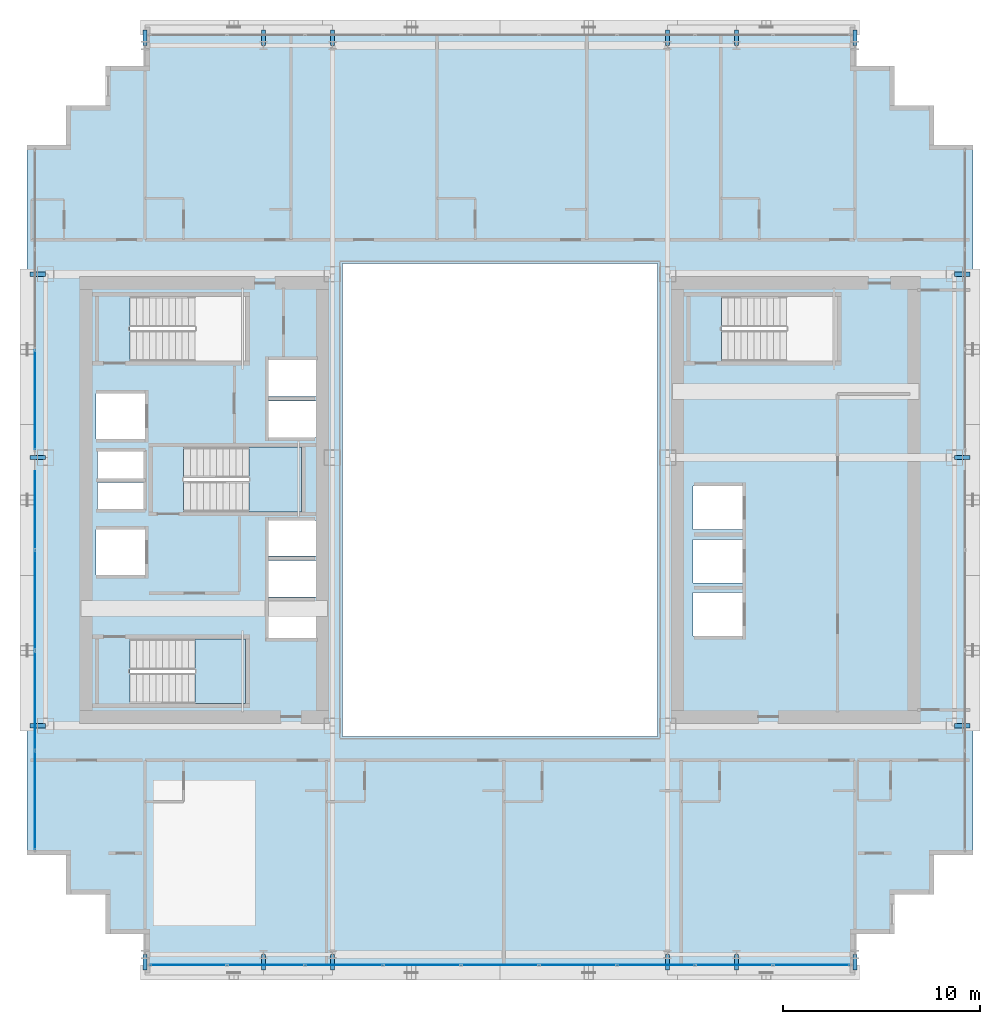
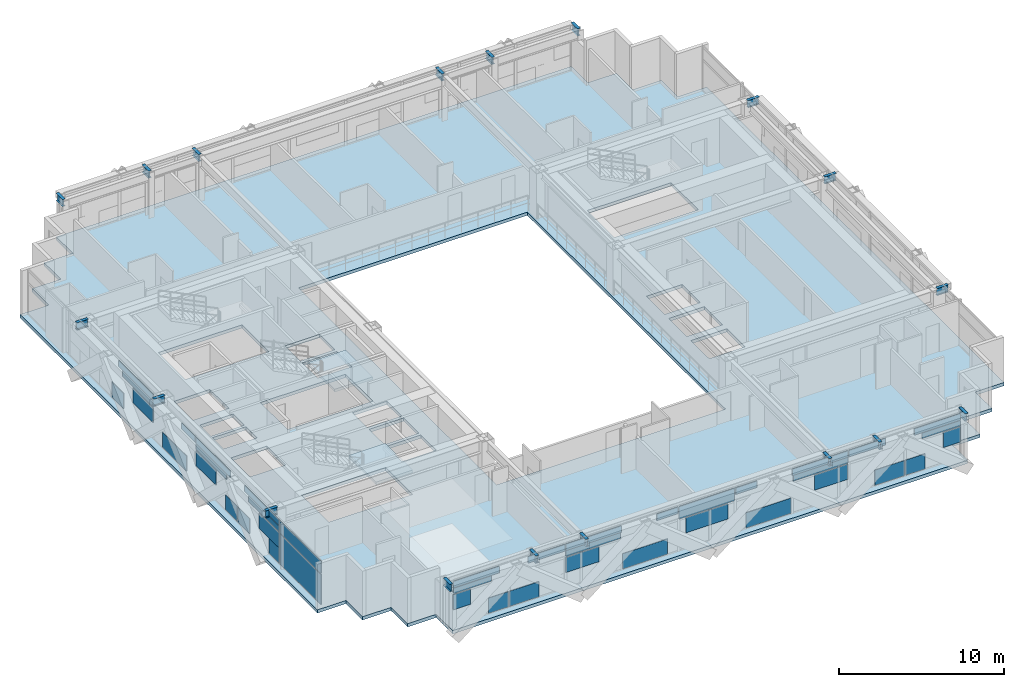
# One storey, part 23 of 34: 41 plates, 18 beams, 3 slabs, 4 elements without a shape of their own.
"""IFC4 building model written with IfcOpenShell, lengths in metres."""

from ifc_helpers import new_model, si_unit, direction, frame, origin, origin_2d, place, context, subcontext, project, spatial, polyline, rectangle, i_section, outline, extrude, source, transform, mapped, material, layer, layer_set, material_profile, profile_set, type_object, element, aggregate, save


model = new_model("IFC4")

# Units and contexts
model_context = context("Model", 3, precision=1e-05, world=origin(), true_north=direction((0.0, 1.0)))
body_context = subcontext(model_context, "Body", "Model", "MODEL_VIEW")
ifc_project = project(units=[si_unit("LENGTHUNIT", "METRE"), si_unit("AREAUNIT", "SQUARE_METRE"), si_unit("VOLUMEUNIT", "CUBIC_METRE"), si_unit("PLANEANGLEUNIT", "RADIAN"), si_unit("MASSUNIT", "GRAM", prefix="KILO")], contexts=[model_context])

# Site, building, storey
site_placement = place(None, origin())
site = spatial("IfcSite", under=ifc_project, at=site_placement, CompositionType="ELEMENT")
building_placement = place(site_placement, origin())
building = spatial("IfcBuilding", under=site, at=building_placement, Name="Ocotamira Hotel", CompositionType="ELEMENT")
storey_placement = place(building_placement, frame((0.0, 0.0, 111.60009765625)))
storey = spatial("IfcBuildingStorey", under=building, at=storey_placement, Name="L27", CompositionType="ELEMENT", Elevation=111.60009765625)

# Beams
ifc_material_1 = material(Name="Steel ASTM A992 Grade 50", Category="steel")
ifc_material_profile = material_profile(ifc_material_1, i_section(OverallWidth=0.2099609375, OverallDepth=0.537109375, WebThickness=0.010986328125, FlangeThickness=0.017333984375, FilletRadius=0.012939453125, at=origin_2d()), Name="W21X68")
ifc_profile_set = profile_set([ifc_material_profile], Name="Steel ASTM A992 Grade 50")
beam_type = type_object("IfcBeamType", Name="BM-SEC-W21X68", PredefinedType="JOIST", material=ifc_profile_set)
shared_shape_1 = source(origin(), body_context, "Body", "SweptSolid", [
    extrude(i_section(OverallWidth=0.2099609375, OverallDepth=0.537109375, WebThickness=0.010986328125, FlangeThickness=0.017333984375, FilletRadius=0.012939453125, at=origin_2d()), origin(), (0.0, 0.0, 1.0), 0.800048828125),
])
for number, where, z_axis, x_axis, name in (
    (1, (14.0, 2.949951171875, 3.09130859375), (0.0, -1.0, 0.0), (1.0, 0.0, 0.0), "L27 South Edge Header X14"),
    (2, (14.0, 49.050048828125, 3.09130859375), (0.0, 1.0, 0.0), (-1.0, 0.0, 0.0), "L27 North Edge Header X14"),
    (3, (20.0, 2.949951171875, 3.09130859375), (0.0, -1.0, 0.0), (1.0, 0.0, 0.0), "L27 South Edge Header X20"),
    (4, (20.0, 49.050048828125, 3.09130859375), (0.0, 1.0, 0.0), (-1.0, 0.0, 0.0), "L27 North Edge Header X20"),
    (5, (23.5, 2.949951171875, 3.09130859375), (0.0, -1.0, 0.0), (1.0, 0.0, 0.0), "L27 South Edge Header X23.5"),
    (6, (23.5, 49.050048828125, 3.09130859375), (0.0, 1.0, 0.0), (-1.0, 0.0, 0.0), "L27 North Edge Header X23.5"),
    (7, (40.5, 2.949951171875, 3.09130859375), (0.0, -1.0, 0.0), (1.0, 0.0, 0.0), "L27 South Edge Header X40.5"),
    (8, (40.5, 49.050048828125, 3.09130859375), (0.0, 1.0, 0.0), (-1.0, 0.0, 0.0), "L27 North Edge Header X40.5"),
    (9, (44.0, 2.949951171875, 3.09130859375), (0.0, -1.0, 0.0), (1.0, 0.0, 0.0), "L27 South Edge Header X44"),
    (10, (44.0, 49.050048828125, 3.09130859375), (0.0, 1.0, 0.0), (-1.0, 0.0, 0.0), "L27 North Edge Header X44"),
    (11, (50.0, 2.949951171875, 3.09130859375), (0.0, -1.0, 0.0), (1.0, 0.0, 0.0), "L27 South Edge Header X50"),
    (12, (50.0, 49.050048828125, 3.09130859375), (0.0, 1.0, 0.0), (-1.0, 0.0, 0.0), "L27 North Edge Header X50"),
    (13, (8.949951171875, 14.550048828125, 3.09130859375), (-1.0, 0.0, 0.0), (0.0, -1.0, 0.0), "L27 West Edge Header Y14.55"),
    (14, (55.050048828125, 14.550048828125, 3.09130859375), (1.0, 0.0, 0.0), (0.0, 1.0, 0.0), "L27 East Edge Header Y14.55"),
    (15, (8.949951171875, 28.14990234375, 3.09130859375), (-1.0, 0.0, 0.0), (0.0, -1.0, 0.0), "L27 West Edge Header Y28.15"),
    (16, (55.050048828125, 28.14990234375, 3.09130859375), (1.0, 0.0, 0.0), (0.0, 1.0, 0.0), "L27 East Edge Header Y28.15"),
    (17, (8.949951171875, 37.449951171875, 3.09130859375), (-1.0, 0.0, 0.0), (0.0, -1.0, 0.0), "L27 West Edge Header Y37.45"),
    (18, (55.050048828125, 37.449951171875, 3.09130859375), (1.0, 0.0, 0.0), (0.0, 1.0, 0.0), "L27 East Edge Header Y37.45"),
):
    element("IfcBeam", number, at=place(storey_placement, frame(where, z_axis=z_axis, x_axis=x_axis)), inside=storey, type_object=beam_type, Name=name, PredefinedType="JOIST", context=body_context, shape_type="MappedRepresentation", body=[
        mapped(shared_shape_1, transform((0.0, 0.0, 0.0), scale=1.0)),
    ])

# Stair, slab
ifc_material_2 = material(Name="Concrete C40/50", Category="concrete")
stair_type = type_object("IfcStairType", Name="ST-CORE-1560", PredefinedType="HALF_TURN_STAIR", material=ifc_material_2)
stair_1_placement = place(storey_placement, origin())
stair_1 = element("IfcStair", 19, at=stair_1_placement, inside=storey, type_object=stair_type, Name="L27 Exit Stair ST-1", PredefinedType="HALF_TURN_STAIR")
ifc_layer_1 = layer(ifc_material_2, 0.199951171875)
ifc_layer_set_1 = layer_set([ifc_layer_1], Name="Concrete C40/50")
slab_type_1 = type_object("IfcSlabType", Name="SLB-LAND-200", PredefinedType="LANDING", material=ifc_layer_set_1)
slab_1_placement = place(storey_placement, frame((0.0, 0.0, 1.599853515625)))
slab_1 = element("IfcSlab", 20, at=slab_1_placement, type_object=slab_type_1, Name="ST-1 landing 1", PredefinedType="LANDING", context=body_context, shape_type="SweptSolid", body=[
    extrude(outline(polyline([(16.530029296875, 15.669921875), (19.090087890625, 15.669921875), (19.090087890625, 18.949951171875), (16.530029296875, 18.949951171875), (16.530029296875, 15.669921875)])), origin(), (0.0, 0.0, 1.0), 0.199951171875),
])
aggregate(stair_1, [slab_1])

stair_2_placement = place(storey_placement, origin())
stair_2 = element("IfcStair", 21, at=stair_2_placement, inside=storey, type_object=stair_type, Name="L27 Exit Stair ST-3", PredefinedType="HALF_TURN_STAIR")
slab_2_placement = place(storey_placement, frame((0.0, 0.0, 1.599853515625)))
slab_2 = element("IfcSlab", 22, at=slab_2_placement, type_object=slab_type_1, Name="ST-3 landing 1", PredefinedType="LANDING", context=body_context, shape_type="SweptSolid", body=[
    extrude(outline(polyline([(19.260009765625, 25.39990234375), (21.919921875, 25.39990234375), (21.919921875, 28.679931640625), (19.260009765625, 28.679931640625), (19.260009765625, 25.39990234375)])), origin(), (0.0, 0.0, 1.0), 0.199951171875),
])
aggregate(stair_2, [slab_2])

# Slab
ifc_layer_2 = layer(ifc_material_2, 0.239990234375)
ifc_layer_set_2 = layer_set([ifc_layer_2], Name="Concrete C40/50")
slab_type_2 = type_object("IfcSlabType", Name="SLB-TYP-240", PredefinedType="FLOOR", material=ifc_layer_set_2)
slab_3_placement = place(storey_placement, frame((0.0, 0.0, -0.239990234375)))
element("IfcSlab", 23, at=slab_3_placement, inside=storey, type_object=slab_type_2, Name="L27 Structural Floor Slab", PredefinedType="FLOOR", context=body_context, shape_type="SweptSolid", body=[
    extrude(outline(polyline([(14.0, 2.0), (50.0, 2.0), (50.0, 4.0), (52.0, 4.0), (52.0, 6.0), (54.0, 6.0), (54.0, 8.0), (56.0, 8.0), (56.0, 44.0), (54.0, 44.0), (54.0, 46.0), (52.0, 46.0), (52.0, 48.0), (50.0, 48.0), (50.0, 50.0), (14.0, 50.0), (14.0, 48.0), (12.0, 48.0), (12.0, 46.0), (10.0, 46.0), (10.0, 44.0), (8.0, 44.0), (8.0, 8.0), (10.0, 8.0), (10.0, 6.0), (12.0, 6.0), (12.0, 4.0), (14.0, 4.0), (14.0, 2.0)]), holes=[polyline([(24.0, 14.0), (40.0, 14.0), (40.0, 38.0), (24.0, 38.0), (24.0, 14.0)]), polyline([(13.22998046875, 15.669921875), (19.090087890625, 15.669921875), (19.090087890625, 18.949951171875), (13.22998046875, 18.949951171875), (13.22998046875, 15.669921875)]), polyline([(13.22998046875, 33.050048828125), (19.090087890625, 33.050048828125), (19.090087890625, 36.330078125), (13.22998046875, 36.330078125), (13.22998046875, 33.050048828125)]), polyline([(15.9599609375, 25.39990234375), (21.919921875, 25.39990234375), (21.919921875, 28.679931640625), (15.9599609375, 28.679931640625), (15.9599609375, 25.39990234375)]), polyline([(43.22998046875, 33.050048828125), (49.090087890625, 33.050048828125), (49.090087890625, 36.330078125), (43.22998046875, 36.330078125), (43.22998046875, 33.050048828125)]), polyline([(41.800048828125, 19.10009765625), (44.300048828125, 19.10009765625), (44.300048828125, 21.300048828125), (41.800048828125, 21.300048828125), (41.800048828125, 19.10009765625)]), polyline([(41.800048828125, 21.800048828125), (44.300048828125, 21.800048828125), (44.300048828125, 24.0), (41.800048828125, 24.0), (41.800048828125, 21.800048828125)]), polyline([(41.800048828125, 24.5), (44.300048828125, 24.5), (44.300048828125, 26.699951171875), (41.800048828125, 26.699951171875), (41.800048828125, 24.5)]), polyline([(20.25, 19.0), (22.659912109375, 19.0), (22.659912109375, 20.85009765625), (20.25, 20.85009765625), (20.25, 19.0)]), polyline([(20.25, 21.080078125), (22.659912109375, 21.080078125), (22.659912109375, 22.929931640625), (20.25, 22.929931640625), (20.25, 21.080078125)]), polyline([(20.25, 23.159912109375), (22.659912109375, 23.159912109375), (22.659912109375, 24.9599609375), (20.25, 24.9599609375), (20.25, 23.159912109375)]), polyline([(20.25, 29.179931640625), (22.659912109375, 29.179931640625), (22.659912109375, 31.030029296875), (20.25, 31.030029296875), (20.25, 29.179931640625)]), polyline([(20.25, 31.260009765625), (22.659912109375, 31.260009765625), (22.659912109375, 33.110107421875), (20.25, 33.110107421875), (20.25, 31.260009765625)]), polyline([(11.5, 22.199951171875), (14.0, 22.199951171875), (14.0, 24.5), (11.5, 24.5), (11.5, 22.199951171875)]), polyline([(11.5, 29.10009765625), (14.0, 29.10009765625), (14.0, 31.39990234375), (11.5, 31.39990234375), (11.5, 29.10009765625)]), polyline([(11.580078125, 25.550048828125), (13.919921875, 25.550048828125), (13.919921875, 26.89990234375), (11.580078125, 26.89990234375), (11.580078125, 25.550048828125)]), polyline([(11.580078125, 27.10009765625), (13.919921875, 27.10009765625), (13.919921875, 28.449951171875), (11.580078125, 28.449951171875), (11.580078125, 27.10009765625)])]), origin(), (0.0, 0.0, 1.0), 0.239990234375),
])

# Curtain wall, plate
ifc_material_3 = material(Name="Anodised pale-metal aluminium and solar glass", Category="aluminium")
ifc_layer_3 = layer(ifc_material_3, 0.179931640625)
ifc_layer_set_3 = layer_set([ifc_layer_3], Name="Anodised pale-metal aluminium and solar glass")
curtain_wall_type = type_object("IfcCurtainWallType", Name="CW-SYS3-Z2", PredefinedType="NOTDEFINED", material=ifc_layer_set_3)
curtain_wall_1_placement = place(storey_placement, origin())
curtain_wall_1 = element("IfcCurtainWall", 24, at=curtain_wall_1_placement, inside=storey, type_object=curtain_wall_type, Name="L27 Curtain Wall CW-3 CW-L27-W", PredefinedType="NOTDEFINED")
ifc_material_4 = material(Name="Double-silver low-E insulated solar glass", Category="glass")
ifc_layer_4 = layer(ifc_material_4, 0.031982421875)
ifc_layer_set_4 = layer_set([ifc_layer_4], Name="Double-silver low-E insulated solar glass")
plate_type = type_object("IfcPlateType", Name="CWP-VISION-32", PredefinedType="CURTAIN_PANEL", material=ifc_layer_set_4)
shared_shape_2 = source(origin(), body_context, "Body", "SweptSolid", [
    extrude(rectangle(XDim=4.9658203125, YDim=0.031982421875, at=origin_2d()), origin(), (0.0, 0.0, 1.0), 2.237548828125),
])
plate_1_placement = place(storey_placement, frame((8.419921875, 10.762939453125, 0.07470703125), z_axis=(0.0, 0.0, 1.0), x_axis=(0.0, 1.0, 0.0)))
plate_1 = element("IfcPlate", 25, at=plate_1_placement, type_object=plate_type, Name="CW-3 panel 1.1", PredefinedType="CURTAIN_PANEL", context=body_context, shape_type="MappedRepresentation", body=[
    mapped(shared_shape_2, transform((0.0, 0.0, 0.0), scale=1.0)),
])

# Curtain wall, plates
curtain_wall_2_placement = place(storey_placement, origin())
curtain_wall_2 = element("IfcCurtainWall", 26, at=curtain_wall_2_placement, inside=storey, type_object=curtain_wall_type, Name="L27 Curtain Wall CW-3 CW-L27-S1", PredefinedType="NOTDEFINED")
shared_shape_3 = source(origin(), body_context, "Body", "SweptSolid", [
    extrude(rectangle(XDim=2.676513671875, YDim=0.031982421875, at=origin_2d()), origin(), (0.0, 0.0, 1.0), 0.39453125),
])
plate_2_placement = place(storey_placement, frame((15.618408203125, 2.419921875, 2.387451171875), z_axis=(0.0, 0.0, 1.0), x_axis=(1.0, 0.0, 0.0)))
plate_2 = element("IfcPlate", 27, at=plate_2_placement, type_object=plate_type, Name="CW-3 panel 1.2.1", PredefinedType="CURTAIN_PANEL", context=body_context, shape_type="MappedRepresentation", body=[
    mapped(shared_shape_3, transform((0.0, 0.0, 0.0), scale=1.0)),
])
plate_3_placement = place(storey_placement, frame((48.381591796875, 2.419921875, 2.387451171875), z_axis=(0.0, 0.0, 1.0), x_axis=(1.0, 0.0, 0.0)))
plate_3 = element("IfcPlate", 28, at=plate_3_placement, type_object=plate_type, Name="CW-3 panel 9.2.2", PredefinedType="CURTAIN_PANEL", context=body_context, shape_type="MappedRepresentation", body=[
    mapped(shared_shape_3, transform((0.0, 0.0, 0.0), scale=1.0)),
])
shared_shape_4 = source(origin(), body_context, "Body", "SweptSolid", [
    extrude(rectangle(XDim=3.208740234375, YDim=0.031982421875, at=origin_2d()), origin(), (0.0, 0.0, 1.0), 0.4716796875),
])
plate_4_placement = place(storey_placement, frame((15.884521484375, 2.419921875, 2.813232421875), z_axis=(0.0, 0.0, 1.0), x_axis=(1.0, 0.0, 0.0)))
plate_4 = element("IfcPlate", 29, at=plate_4_placement, type_object=plate_type, Name="CW-3 panel 1.2.2", PredefinedType="CURTAIN_PANEL", context=body_context, shape_type="MappedRepresentation", body=[
    mapped(shared_shape_4, transform((0.0, 0.0, 0.0), scale=1.0)),
])
plate_5_placement = place(storey_placement, frame((48.115478515625, 2.419921875, 2.813232421875), z_axis=(0.0, 0.0, 1.0), x_axis=(1.0, 0.0, 0.0)))
plate_5 = element("IfcPlate", 30, at=plate_5_placement, type_object=plate_type, Name="CW-3 panel 9.2.1", PredefinedType="CURTAIN_PANEL", context=body_context, shape_type="MappedRepresentation", body=[
    mapped(shared_shape_4, transform((0.0, 0.0, 0.0), scale=1.0)),
])
shared_shape_5 = source(origin(), body_context, "Body", "SweptSolid", [
    extrude(rectangle(XDim=2.559814453125, YDim=0.031982421875, at=origin_2d()), origin(), (0.0, 0.0, 1.0), 0.4716796875),
])
plate_6_placement = place(storey_placement, frame((20.791259765625, 2.419921875, 2.813232421875), z_axis=(0.0, 0.0, 1.0), x_axis=(1.0, 0.0, 0.0)))
plate_6 = element("IfcPlate", 31, at=plate_6_placement, type_object=plate_type, Name="CW-3 panel 2.2.1", PredefinedType="CURTAIN_PANEL", context=body_context, shape_type="MappedRepresentation", body=[
    mapped(shared_shape_5, transform((0.0, 0.0, 0.0), scale=1.0)),
])
plate_7_placement = place(storey_placement, frame((43.208740234375, 2.419921875, 2.813232421875), z_axis=(0.0, 0.0, 1.0), x_axis=(1.0, 0.0, 0.0)))
plate_7 = element("IfcPlate", 32, at=plate_7_placement, type_object=plate_type, Name="CW-3 panel 8.2.1", PredefinedType="CURTAIN_PANEL", context=body_context, shape_type="MappedRepresentation", body=[
    mapped(shared_shape_5, transform((0.0, 0.0, 0.0), scale=1.0)),
])
shared_shape_6 = source(origin(), body_context, "Body", "SweptSolid", [
    extrude(rectangle(XDim=3.805419921875, YDim=0.031982421875, at=origin_2d()), origin(), (0.0, 0.0, 1.0), 0.42578125),
])
plate_8_placement = place(storey_placement, frame((24.0537109375, 2.419921875, 2.387451171875), z_axis=(0.0, 0.0, 1.0), x_axis=(1.0, 0.0, 0.0)))
plate_8 = element("IfcPlate", 33, at=plate_8_placement, type_object=plate_type, Name="CW-3 panel 3.2.1", PredefinedType="CURTAIN_PANEL", context=body_context, shape_type="MappedRepresentation", body=[
    mapped(shared_shape_6, transform((0.0, 0.0, 0.0), scale=1.0)),
])
plate_9_placement = place(storey_placement, frame((39.9462890625, 2.419921875, 2.387451171875), z_axis=(0.0, 0.0, 1.0), x_axis=(1.0, 0.0, 0.0)))
plate_9 = element("IfcPlate", 34, at=plate_9_placement, type_object=plate_type, Name="CW-3 panel 7.2.2", PredefinedType="CURTAIN_PANEL", context=body_context, shape_type="MappedRepresentation", body=[
    mapped(shared_shape_6, transform((0.0, 0.0, 0.0), scale=1.0)),
])
shared_shape_7 = source(origin(), body_context, "Body", "SweptSolid", [
    extrude(rectangle(XDim=3.87548828125, YDim=0.031982421875, at=origin_2d()), origin(), (0.0, 0.0, 1.0), 0.4716796875),
])
plate_10_placement = place(storey_placement, frame((24.0888671875, 2.419921875, 2.813232421875), z_axis=(0.0, 0.0, 1.0), x_axis=(1.0, 0.0, 0.0)))
plate_10 = element("IfcPlate", 35, at=plate_10_placement, type_object=plate_type, Name="CW-3 panel 3.2.2", PredefinedType="CURTAIN_PANEL", context=body_context, shape_type="MappedRepresentation", body=[
    mapped(shared_shape_7, transform((0.0, 0.0, 0.0), scale=1.0)),
])
plate_11_placement = place(storey_placement, frame((39.9111328125, 2.419921875, 2.813232421875), z_axis=(0.0, 0.0, 1.0), x_axis=(1.0, 0.0, 0.0)))
plate_11 = element("IfcPlate", 36, at=plate_11_placement, type_object=plate_type, Name="CW-3 panel 7.2.1", PredefinedType="CURTAIN_PANEL", context=body_context, shape_type="MappedRepresentation", body=[
    mapped(shared_shape_7, transform((0.0, 0.0, 0.0), scale=1.0)),
])
shared_shape_8 = source(origin(), body_context, "Body", "SweptSolid", [
    extrude(rectangle(XDim=1.470947265625, YDim=0.031982421875, at=origin_2d()), origin(), (0.0, 0.0, 1.0), 0.4716796875),
])
plate_12_placement = place(storey_placement, frame((29.24658203125, 2.419921875, 2.813232421875), z_axis=(0.0, 0.0, 1.0), x_axis=(1.0, 0.0, 0.0)))
plate_12 = element("IfcPlate", 37, at=plate_12_placement, type_object=plate_type, Name="CW-3 panel 4.2.1", PredefinedType="CURTAIN_PANEL", context=body_context, shape_type="MappedRepresentation", body=[
    mapped(shared_shape_8, transform((0.0, 0.0, 0.0), scale=1.0)),
])
plate_13_placement = place(storey_placement, frame((34.75341796875, 2.419921875, 2.813232421875), z_axis=(0.0, 0.0, 1.0), x_axis=(1.0, 0.0, 0.0)))
plate_13 = element("IfcPlate", 38, at=plate_13_placement, type_object=plate_type, Name="CW-3 panel 6.2.1", PredefinedType="CURTAIN_PANEL", context=body_context, shape_type="MappedRepresentation", body=[
    mapped(shared_shape_8, transform((0.0, 0.0, 0.0), scale=1.0)),
])
shared_shape_9 = source(origin(), body_context, "Body", "SweptSolid", [
    extrude(rectangle(XDim=3.87548828125, YDim=0.031982421875, at=origin_2d()), origin(), (0.0, 0.0, 1.0), 0.8974609375),
])
plate_14_placement = place(storey_placement, frame((32.0, 2.419921875, 2.387451171875), z_axis=(0.0, 0.0, 1.0), x_axis=(1.0, 0.0, 0.0)))
plate_14 = element("IfcPlate", 39, at=plate_14_placement, type_object=plate_type, Name="CW-3 panel 5.2", PredefinedType="CURTAIN_PANEL", context=body_context, shape_type="MappedRepresentation", body=[
    mapped(shared_shape_9, transform((0.0, 0.0, 0.0), scale=1.0)),
])

# Plate
shared_shape_10 = source(origin(), body_context, "Body", "SweptSolid", [
    extrude(rectangle(XDim=4.9658203125, YDim=0.031982421875, at=origin_2d()), origin(), (0.0, 0.0, 1.0), 0.8974609375),
])
plate_15_placement = place(storey_placement, frame((8.419921875, 10.762939453125, 2.387451171875), z_axis=(0.0, 0.0, 1.0), x_axis=(0.0, 1.0, 0.0)))
plate_15 = element("IfcPlate", 40, at=plate_15_placement, type_object=plate_type, Name="CW-3 panel 1.2", PredefinedType="CURTAIN_PANEL", context=body_context, shape_type="MappedRepresentation", body=[
    mapped(shared_shape_10, transform((0.0, 0.0, 0.0), scale=1.0)),
])

shared_shape_11 = source(origin(), body_context, "Body", "SweptSolid", [
    extrude(rectangle(XDim=3.69189453125, YDim=0.031982421875, at=origin_2d()), origin(), (0.0, 0.0, 1.0), 0.414306640625),
])
plate_16_placement = place(storey_placement, frame((8.419921875, 15.171630859375, 2.38720703125), z_axis=(0.0, 0.0, 1.0), x_axis=(0.0, 1.0, 0.0)))
plate_16 = element("IfcPlate", 41, at=plate_16_placement, type_object=plate_type, Name="CW-3 panel 2.2.1", PredefinedType="CURTAIN_PANEL", context=body_context, shape_type="MappedRepresentation", body=[
    mapped(shared_shape_11, transform((0.0, 0.0, 0.0), scale=1.0)),
])

shared_shape_12 = source(origin(), body_context, "Body", "SweptSolid", [
    extrude(rectangle(XDim=4.16748046875, YDim=0.031982421875, at=origin_2d()), origin(), (0.0, 0.0, 1.0), 0.44873046875),
])
plate_17_placement = place(storey_placement, frame((8.419921875, 15.409423828125, 2.836181640625), z_axis=(0.0, 0.0, 1.0), x_axis=(0.0, 1.0, 0.0)))
plate_17 = element("IfcPlate", 42, at=plate_17_placement, type_object=plate_type, Name="CW-3 panel 2.2.2", PredefinedType="CURTAIN_PANEL", context=body_context, shape_type="MappedRepresentation", body=[
    mapped(shared_shape_12, transform((0.0, 0.0, 0.0), scale=1.0)),
])

shared_shape_13 = source(origin(), body_context, "Body", "SweptSolid", [
    extrude(rectangle(XDim=4.17724609375, YDim=0.031982421875, at=origin_2d()), origin(), (0.0, 0.0, 1.0), 0.44873046875),
])
plate_18_placement = place(storey_placement, frame((8.419921875, 21.32861328125, 2.836181640625), z_axis=(0.0, 0.0, 1.0), x_axis=(0.0, 1.0, 0.0)))
plate_18 = element("IfcPlate", 43, at=plate_18_placement, type_object=plate_type, Name="CW-3 panel 3.2.1", PredefinedType="CURTAIN_PANEL", context=body_context, shape_type="MappedRepresentation", body=[
    mapped(shared_shape_13, transform((0.0, 0.0, 0.0), scale=1.0)),
])

plate_19_placement = place(storey_placement, frame((8.419921875, 30.67138671875, 2.836181640625), z_axis=(0.0, 0.0, 1.0), x_axis=(0.0, 1.0, 0.0)))
plate_19 = element("IfcPlate", 44, at=plate_19_placement, type_object=plate_type, Name="CW-3 panel 5.2.2", PredefinedType="CURTAIN_PANEL", context=body_context, shape_type="MappedRepresentation", body=[
    mapped(shared_shape_13, transform((0.0, 0.0, 0.0), scale=1.0)),
])

shared_shape_14 = source(origin(), body_context, "Body", "SweptSolid", [
    extrude(rectangle(XDim=3.70166015625, YDim=0.031982421875, at=origin_2d()), origin(), (0.0, 0.0, 1.0), 0.414306640625),
])
plate_20_placement = place(storey_placement, frame((8.419921875, 21.56640625, 2.38720703125), z_axis=(0.0, 0.0, 1.0), x_axis=(0.0, 1.0, 0.0)))
plate_20 = element("IfcPlate", 45, at=plate_20_placement, type_object=plate_type, Name="CW-3 panel 3.2.2", PredefinedType="CURTAIN_PANEL", context=body_context, shape_type="MappedRepresentation", body=[
    mapped(shared_shape_14, transform((0.0, 0.0, 0.0), scale=1.0)),
])

plate_21_placement = place(storey_placement, frame((8.419921875, 30.43359375, 2.38720703125), z_axis=(0.0, 0.0, 1.0), x_axis=(0.0, 1.0, 0.0)))
plate_21 = element("IfcPlate", 46, at=plate_21_placement, type_object=plate_type, Name="CW-3 panel 5.2.1", PredefinedType="CURTAIN_PANEL", context=body_context, shape_type="MappedRepresentation", body=[
    mapped(shared_shape_14, transform((0.0, 0.0, 0.0), scale=1.0)),
])

shared_shape_15 = source(origin(), body_context, "Body", "SweptSolid", [
    extrude(rectangle(XDim=1.629638671875, YDim=0.031982421875, at=origin_2d()), origin(), (0.0, 0.0, 1.0), 0.44873046875),
])
plate_22_placement = place(storey_placement, frame((8.419921875, 24.31201171875, 2.836181640625), z_axis=(0.0, 0.0, 1.0), x_axis=(0.0, 1.0, 0.0)))
plate_22 = element("IfcPlate", 47, at=plate_22_placement, type_object=plate_type, Name="CW-3 panel 4.2.1", PredefinedType="CURTAIN_PANEL", context=body_context, shape_type="MappedRepresentation", body=[
    mapped(shared_shape_15, transform((0.0, 0.0, 0.0), scale=1.0)),
])

shared_shape_16 = source(origin(), body_context, "Body", "SweptSolid", [
    extrude(rectangle(XDim=2.404296875, YDim=0.031982421875, at=origin_2d()), origin(), (0.0, 0.0, 1.0), 1.11865234375),
])
plate_23_placement = place(storey_placement, frame((8.419921875, 22.183349609375, 1.193603515625), z_axis=(0.0, 0.0, 1.0), x_axis=(0.0, 1.0, 0.0)))
plate_23 = element("IfcPlate", 48, at=plate_23_placement, type_object=plate_type, Name="CW-3 panel 3.1.2", PredefinedType="CURTAIN_PANEL", context=body_context, shape_type="MappedRepresentation", body=[
    mapped(shared_shape_16, transform((0.0, 0.0, 0.0), scale=1.0)),
])

plate_24_placement = place(storey_placement, frame((8.419921875, 29.816650390625, 1.193603515625), z_axis=(0.0, 0.0, 1.0), x_axis=(0.0, 1.0, 0.0)))
plate_24 = element("IfcPlate", 49, at=plate_24_placement, type_object=plate_type, Name="CW-3 panel 5.1.1", PredefinedType="CURTAIN_PANEL", context=body_context, shape_type="MappedRepresentation", body=[
    mapped(shared_shape_16, transform((0.0, 0.0, 0.0), scale=1.0)),
])

shared_shape_17 = source(origin(), body_context, "Body", "SweptSolid", [
    extrude(rectangle(XDim=1.37060546875, YDim=0.031982421875, at=origin_2d()), origin(), (0.0, 0.0, 1.0), 1.118896484375),
])
plate_25_placement = place(storey_placement, frame((17.430419921875, 2.419921875, 0.07470703125), z_axis=(0.0, 0.0, 1.0), x_axis=(1.0, 0.0, 0.0)))
plate_25 = element("IfcPlate", 50, at=plate_25_placement, type_object=plate_type, Name="CW-3 panel 1.1.2", PredefinedType="CURTAIN_PANEL", context=body_context, shape_type="MappedRepresentation", body=[
    mapped(shared_shape_17, transform((0.0, 0.0, 0.0), scale=1.0)),
])

plate_26_placement = place(storey_placement, frame((46.569580078125, 2.419921875, 0.07470703125), z_axis=(0.0, 0.0, 1.0), x_axis=(1.0, 0.0, 0.0)))
plate_26 = element("IfcPlate", 51, at=plate_26_placement, type_object=plate_type, Name="CW-3 panel 9.1.1", PredefinedType="CURTAIN_PANEL", context=body_context, shape_type="MappedRepresentation", body=[
    mapped(shared_shape_17, transform((0.0, 0.0, 0.0), scale=1.0)),
])

shared_shape_18 = source(origin(), body_context, "Body", "SweptSolid", [
    extrude(rectangle(XDim=2.059326171875, YDim=0.031982421875, at=origin_2d()), origin(), (0.0, 0.0, 1.0), 1.118896484375),
])
plate_27_placement = place(storey_placement, frame((19.225341796875, 2.419921875, 0.07470703125), z_axis=(0.0, 0.0, 1.0), x_axis=(1.0, 0.0, 0.0)))
plate_27 = element("IfcPlate", 52, at=plate_27_placement, type_object=plate_type, Name="CW-3 panel 2.1.1", PredefinedType="CURTAIN_PANEL", context=body_context, shape_type="MappedRepresentation", body=[
    mapped(shared_shape_18, transform((0.0, 0.0, 0.0), scale=1.0)),
])

plate_28_placement = place(storey_placement, frame((44.774658203125, 2.419921875, 0.07470703125), z_axis=(0.0, 0.0, 1.0), x_axis=(1.0, 0.0, 0.0)))
plate_28 = element("IfcPlate", 53, at=plate_28_placement, type_object=plate_type, Name="CW-3 panel 8.1.1", PredefinedType="CURTAIN_PANEL", context=body_context, shape_type="MappedRepresentation", body=[
    mapped(shared_shape_18, transform((0.0, 0.0, 0.0), scale=1.0)),
])

shared_shape_19 = source(origin(), body_context, "Body", "SweptSolid", [
    extrude(rectangle(XDim=3.148193359375, YDim=0.031982421875, at=origin_2d()), origin(), (0.0, 0.0, 1.0), 1.118896484375),
])
plate_29_placement = place(storey_placement, frame((27.680908203125, 2.419921875, 0.07470703125), z_axis=(0.0, 0.0, 1.0), x_axis=(1.0, 0.0, 0.0)))
plate_29 = element("IfcPlate", 54, at=plate_29_placement, type_object=plate_type, Name="CW-3 panel 4.1.1", PredefinedType="CURTAIN_PANEL", context=body_context, shape_type="MappedRepresentation", body=[
    mapped(shared_shape_19, transform((0.0, 0.0, 0.0), scale=1.0)),
])

plate_30_placement = place(storey_placement, frame((36.319091796875, 2.419921875, 0.07470703125), z_axis=(0.0, 0.0, 1.0), x_axis=(1.0, 0.0, 0.0)))
plate_30 = element("IfcPlate", 55, at=plate_30_placement, type_object=plate_type, Name="CW-3 panel 6.1.1", PredefinedType="CURTAIN_PANEL", context=body_context, shape_type="MappedRepresentation", body=[
    mapped(shared_shape_19, transform((0.0, 0.0, 0.0), scale=1.0)),
])

shared_shape_20 = source(origin(), body_context, "Body", "SweptSolid", [
    extrude(rectangle(XDim=1.240234375, YDim=0.031982421875, at=origin_2d()), origin(), (0.0, 0.0, 1.0), 1.118896484375),
])
plate_31_placement = place(storey_placement, frame((8.419921875, 13.94580078125, 0.07470703125), z_axis=(0.0, 0.0, 1.0), x_axis=(0.0, 1.0, 0.0)))
plate_31 = element("IfcPlate", 56, at=plate_31_placement, type_object=plate_type, Name="CW-3 panel 2.1.1", PredefinedType="CURTAIN_PANEL", context=body_context, shape_type="MappedRepresentation", body=[
    mapped(shared_shape_20, transform((0.0, 0.0, 0.0), scale=1.0)),
])

shared_shape_21 = source(origin(), body_context, "Body", "SweptSolid", [
    extrude(rectangle(XDim=1.413330078125, YDim=0.031982421875, at=origin_2d()), origin(), (0.0, 0.0, 1.0), 1.118896484375),
])
plate_32_placement = place(storey_placement, frame((8.419921875, 17.624755859375, 0.07470703125), z_axis=(0.0, 0.0, 1.0), x_axis=(0.0, 1.0, 0.0)))
plate_32 = element("IfcPlate", 57, at=plate_32_placement, type_object=plate_type, Name="CW-3 panel 2.1.3", PredefinedType="CURTAIN_PANEL", context=body_context, shape_type="MappedRepresentation", body=[
    mapped(shared_shape_21, transform((0.0, 0.0, 0.0), scale=1.0)),
])

shared_shape_22 = source(origin(), body_context, "Body", "SweptSolid", [
    extrude(rectangle(XDim=1.40380859375, YDim=0.031982421875, at=origin_2d()), origin(), (0.0, 0.0, 1.0), 1.118896484375),
])
plate_33_placement = place(storey_placement, frame((8.419921875, 19.11328125, 0.07470703125), z_axis=(0.0, 0.0, 1.0), x_axis=(0.0, 1.0, 0.0)))
plate_33 = element("IfcPlate", 58, at=plate_33_placement, type_object=plate_type, Name="CW-3 panel 3.1.1", PredefinedType="CURTAIN_PANEL", context=body_context, shape_type="MappedRepresentation", body=[
    mapped(shared_shape_22, transform((0.0, 0.0, 0.0), scale=1.0)),
])

plate_34_placement = place(storey_placement, frame((8.419921875, 32.88671875, 0.07470703125), z_axis=(0.0, 0.0, 1.0), x_axis=(0.0, 1.0, 0.0)))
plate_34 = element("IfcPlate", 59, at=plate_34_placement, type_object=plate_type, Name="CW-3 panel 5.1.2", PredefinedType="CURTAIN_PANEL", context=body_context, shape_type="MappedRepresentation", body=[
    mapped(shared_shape_22, transform((0.0, 0.0, 0.0), scale=1.0)),
])

shared_shape_23 = source(origin(), body_context, "Body", "SweptSolid", [
    extrude(rectangle(XDim=2.897216796875, YDim=0.031982421875, at=origin_2d()), origin(), (0.0, 0.0, 1.0), 1.118896484375),
])
plate_35_placement = place(storey_placement, frame((8.419921875, 26.0, 0.07470703125), z_axis=(0.0, 0.0, 1.0), x_axis=(0.0, 1.0, 0.0)))
plate_35 = element("IfcPlate", 60, at=plate_35_placement, type_object=plate_type, Name="CW-3 panel 4.1.1", PredefinedType="CURTAIN_PANEL", context=body_context, shape_type="MappedRepresentation", body=[
    mapped(shared_shape_23, transform((0.0, 0.0, 0.0), scale=1.0)),
])

shared_shape_24 = source(origin(), body_context, "Body", "SweptSolid", [
    extrude(rectangle(XDim=1.184326171875, YDim=0.031982421875, at=origin_2d()), origin(), (0.0, 0.0, 1.0), 1.11865234375),
])
plate_36_placement = place(storey_placement, frame((14.872314453125, 2.419921875, 1.193603515625), z_axis=(0.0, 0.0, 1.0), x_axis=(1.0, 0.0, 0.0)))
plate_36 = element("IfcPlate", 61, at=plate_36_placement, type_object=plate_type, Name="CW-3 panel 1.1.1", PredefinedType="CURTAIN_PANEL", context=body_context, shape_type="MappedRepresentation", body=[
    mapped(shared_shape_24, transform((0.0, 0.0, 0.0), scale=1.0)),
])

plate_37_placement = place(storey_placement, frame((49.127685546875, 2.419921875, 1.193603515625), z_axis=(0.0, 0.0, 1.0), x_axis=(1.0, 0.0, 0.0)))
plate_37 = element("IfcPlate", 62, at=plate_37_placement, type_object=plate_type, Name="CW-3 panel 9.1.2", PredefinedType="CURTAIN_PANEL", context=body_context, shape_type="MappedRepresentation", body=[
    mapped(shared_shape_24, transform((0.0, 0.0, 0.0), scale=1.0)),
])

shared_shape_25 = source(origin(), body_context, "Body", "SweptSolid", [
    extrude(rectangle(XDim=2.313232421875, YDim=0.031982421875, at=origin_2d()), origin(), (0.0, 0.0, 1.0), 1.11865234375),
])
plate_38_placement = place(storey_placement, frame((23.3076171875, 2.419921875, 1.193603515625), z_axis=(0.0, 0.0, 1.0), x_axis=(1.0, 0.0, 0.0)))
plate_38 = element("IfcPlate", 63, at=plate_38_placement, type_object=plate_type, Name="CW-3 panel 3.1.1", PredefinedType="CURTAIN_PANEL", context=body_context, shape_type="MappedRepresentation", body=[
    mapped(shared_shape_25, transform((0.0, 0.0, 0.0), scale=1.0)),
])

plate_39_placement = place(storey_placement, frame((40.6923828125, 2.419921875, 1.193603515625), z_axis=(0.0, 0.0, 1.0), x_axis=(1.0, 0.0, 0.0)))
plate_39 = element("IfcPlate", 64, at=plate_39_placement, type_object=plate_type, Name="CW-3 panel 7.1.1", PredefinedType="CURTAIN_PANEL", context=body_context, shape_type="MappedRepresentation", body=[
    mapped(shared_shape_25, transform((0.0, 0.0, 0.0), scale=1.0)),
])

shared_shape_26 = source(origin(), body_context, "Body", "SweptSolid", [
    extrude(rectangle(XDim=2.9287109375, YDim=0.031982421875, at=origin_2d()), origin(), (0.0, 0.0, 1.0), 1.11865234375),
])
plate_40_placement = place(storey_placement, frame((32.0, 2.419921875, 1.193603515625), z_axis=(0.0, 0.0, 1.0), x_axis=(1.0, 0.0, 0.0)))
plate_40 = element("IfcPlate", 65, at=plate_40_placement, type_object=plate_type, Name="CW-3 panel 5.1.1", PredefinedType="CURTAIN_PANEL", context=body_context, shape_type="MappedRepresentation", body=[
    mapped(shared_shape_26, transform((0.0, 0.0, 0.0), scale=1.0)),
])

aggregate(curtain_wall_2, [plate_36, plate_25, plate_2, plate_4, plate_27, plate_6, plate_38, plate_8, plate_10, plate_29, plate_12, plate_40, plate_14, plate_30, plate_13, plate_39, plate_11, plate_9, plate_28, plate_7, plate_26, plate_37, plate_5, plate_3])

shared_shape_27 = source(origin(), body_context, "Body", "SweptSolid", [
    extrude(rectangle(XDim=2.426513671875, YDim=0.031982421875, at=origin_2d()), origin(), (0.0, 0.0, 1.0), 1.11865234375),
])
plate_41_placement = place(storey_placement, frame((8.419921875, 14.538818359375, 1.193603515625), z_axis=(0.0, 0.0, 1.0), x_axis=(0.0, 1.0, 0.0)))
plate_41 = element("IfcPlate", 66, at=plate_41_placement, type_object=plate_type, Name="CW-3 panel 2.1.2", PredefinedType="CURTAIN_PANEL", context=body_context, shape_type="MappedRepresentation", body=[
    mapped(shared_shape_27, transform((0.0, 0.0, 0.0), scale=1.0)),
])

aggregate(curtain_wall_1, [plate_1, plate_15, plate_31, plate_41, plate_32, plate_16, plate_17, plate_33, plate_23, plate_18, plate_20, plate_35, plate_22, plate_24, plate_34, plate_21, plate_19])

save(model, "model.ifc")
